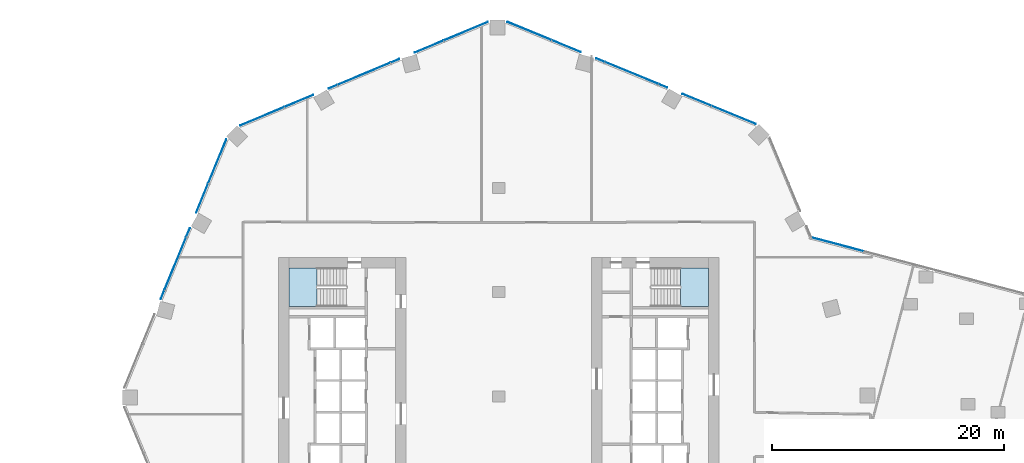
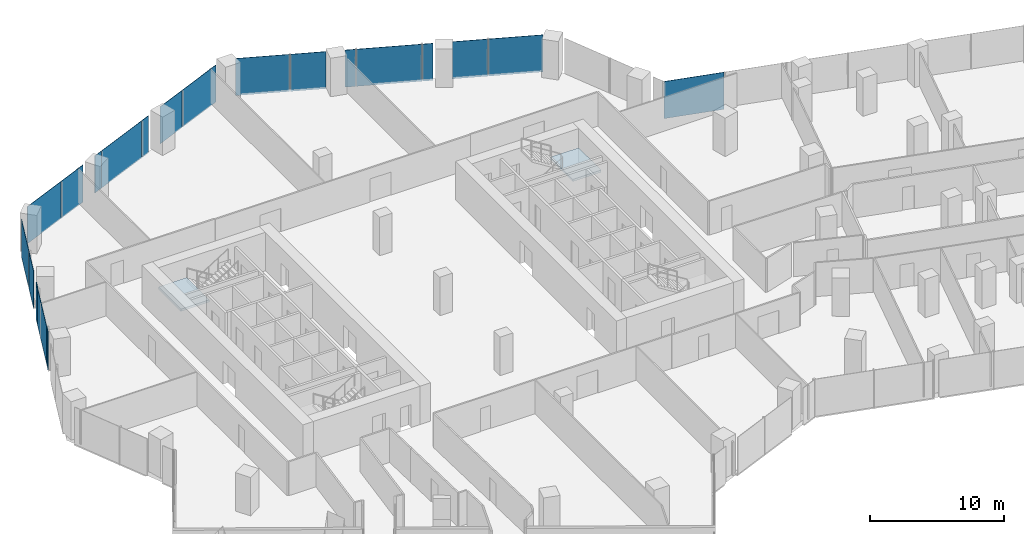
# One storey, part 24 of 34: 20 plates, 2 slabs, 6 elements without a shape of their own.
"""IFC4 building model written with IfcOpenShell, lengths in metres."""

from ifc_helpers import new_model, si_unit, direction, frame, origin, origin_2d, place, context, subcontext, project, spatial, polyline, rectangle, outline, extrude, material, layer, layer_set, type_object, element, aggregate, save


model = new_model("IFC4")

# Units and contexts
model_context = context("Model", 3, precision=1e-05, world=origin(), true_north=direction((0.0, 1.0)))
body_context = subcontext(model_context, "Body", "Model", "MODEL_VIEW")
ifc_project = project(units=[si_unit("LENGTHUNIT", "METRE"), si_unit("AREAUNIT", "SQUARE_METRE"), si_unit("VOLUMEUNIT", "CUBIC_METRE"), si_unit("PLANEANGLEUNIT", "RADIAN"), si_unit("MASSUNIT", "GRAM", prefix="KILO")], contexts=[model_context])

# Site, building, storey
site_placement = place(None, origin())
site = spatial("IfcSite", under=ifc_project, at=site_placement, CompositionType="ELEMENT")
building_placement = place(site_placement, origin())
building = spatial("IfcBuilding", under=site, at=building_placement, Name="Orlundy Tower", CompositionType="ELEMENT")
storey_placement = place(building_placement, frame((0.0, 0.0, 112.699951171875)))
storey = spatial("IfcBuildingStorey", under=building, at=storey_placement, Name="L28", CompositionType="ELEMENT", Elevation=112.699951171875)

# Curtain wall, plates
ifc_material_1 = material(Name="Aluminium bronze anodised", Category="aluminium")
curtain_wall_type = type_object("IfcCurtainWallType", Name="CW1 wall", PredefinedType="NOTDEFINED", material=ifc_material_1)
curtain_wall_1_placement = place(storey_placement, origin())
curtain_wall_1 = element("IfcCurtainWall", 1, at=curtain_wall_1_placement, inside=storey, type_object=curtain_wall_type, Name="CW1 run 014", PredefinedType="NOTDEFINED")
ifc_material_2 = material(Name="Tinted glass", Category="glass")
ifc_layer_1 = layer(ifc_material_2, 0.031982421875)
ifc_layer_set_1 = layer_set([ifc_layer_1], Name="CW1 glass panel 32")
plate_type = type_object("IfcPlateType", Name="CW1 glass panel 32", PredefinedType="CURTAIN_PANEL", material=ifc_layer_set_1)
plate_1_placement = place(storey_placement, frame((-29.0068359375, 8.77197265625, -0.27978515625), z_axis=(0.0, 0.0, 1.0), x_axis=(0.380004927003, 0.924984462277, 0.0)))
plate_1 = element("IfcPlate", 2, at=plate_1_placement, type_object=plate_type, Name="CW1 panel", PredefinedType="CURTAIN_PANEL", context=body_context, shape_type="SweptSolid", body=[
    extrude(rectangle(XDim=0.796630859375, YDim=0.031982421875, at=origin_2d()), origin(), (0.0, 0.0, 1.0), 3.3798828125),
])
plate_2_placement = place(storey_placement, frame((-27.901611328125, 11.46240234375, -0.27978515625), z_axis=(0.0, 0.0, 1.0), x_axis=(0.380004927003, 0.924984462277, 0.0)))
plate_2 = element("IfcPlate", 3, at=plate_2_placement, type_object=plate_type, Name="CW1 panel", PredefinedType="CURTAIN_PANEL", context=body_context, shape_type="SweptSolid", body=[
    extrude(rectangle(XDim=4.92041015625, YDim=0.031982421875, at=origin_2d()), origin(), (0.0, 0.0, 1.0), 3.3798828125),
])
plate_3_placement = place(storey_placement, frame((-26.79638671875, 14.15283203125, -0.27978515625), z_axis=(0.0, 0.0, 1.0), x_axis=(0.380004927003, 0.924984462277, 0.0)))
plate_3 = element("IfcPlate", 4, at=plate_3_placement, type_object=plate_type, Name="CW1 panel", PredefinedType="CURTAIN_PANEL", context=body_context, shape_type="SweptSolid", body=[
    extrude(rectangle(XDim=0.796875, YDim=0.031982421875, at=origin_2d()), origin(), (0.0, 0.0, 1.0), 3.3798828125),
])
plate_4_placement = place(storey_placement, frame((-25.589599609375, 17.090576171875, -0.27978515625), z_axis=(0.0, 0.0, 1.0), x_axis=(0.380004927003, 0.924984462277, 0.0)))
plate_4 = element("IfcPlate", 5, at=plate_4_placement, type_object=plate_type, Name="CW1 panel", PredefinedType="CURTAIN_PANEL", context=body_context, shape_type="SweptSolid", body=[
    extrude(rectangle(XDim=2.692138671875, YDim=0.031982421875, at=origin_2d()), origin(), (0.0, 0.0, 1.0), 3.3798828125),
])
plate_5_placement = place(storey_placement, frame((-24.28125, 20.275146484375, -0.27978515625), z_axis=(0.0, 0.0, 1.0), x_axis=(0.380004927003, 0.924984462277, 0.0)))
plate_5 = element("IfcPlate", 6, at=plate_5_placement, type_object=plate_type, Name="CW1 panel", PredefinedType="CURTAIN_PANEL", context=body_context, shape_type="SweptSolid", body=[
    extrude(rectangle(XDim=4.093505859375, YDim=0.031982421875, at=origin_2d()), origin(), (0.0, 0.0, 1.0), 3.3798828125),
])
aggregate(curtain_wall_1, [plate_1, plate_2, plate_3, plate_4, plate_5])

curtain_wall_2_placement = place(storey_placement, origin())
curtain_wall_2 = element("IfcCurtainWall", 7, at=curtain_wall_2_placement, inside=storey, type_object=curtain_wall_type, Name="CW1 run 015", PredefinedType="NOTDEFINED")
plate_6_placement = place(storey_placement, frame((-20.416015625, 24.16259765625, -0.27978515625), z_axis=(0.0, 0.0, 1.0), x_axis=(0.922759964351, 0.385375204433, 0.0)))
plate_6 = element("IfcPlate", 8, at=plate_6_placement, type_object=plate_type, Name="CW1 panel", PredefinedType="CURTAIN_PANEL", context=body_context, shape_type="SweptSolid", body=[
    extrude(rectangle(XDim=4.093505859375, YDim=0.031982421875, at=origin_2d()), origin(), (0.0, 0.0, 1.0), 3.3798828125),
])
plate_7_placement = place(storey_placement, frame((-17.24072265625, 25.48876953125, -0.27978515625), z_axis=(0.0, 0.0, 1.0), x_axis=(0.922759964351, 0.385375204433, 0.0)))
plate_7 = element("IfcPlate", 9, at=plate_7_placement, type_object=plate_type, Name="CW1 panel", PredefinedType="CURTAIN_PANEL", context=body_context, shape_type="SweptSolid", body=[
    extrude(rectangle(XDim=2.688720703125, YDim=0.031982421875, at=origin_2d()), origin(), (0.0, 0.0, 1.0), 3.3798828125),
])
plate_8_placement = place(storey_placement, frame((-14.308349609375, 26.71337890625, -0.27978515625), z_axis=(0.0, 0.0, 1.0), x_axis=(0.922759964351, 0.385375204433, 0.0)))
plate_8 = element("IfcPlate", 10, at=plate_8_placement, type_object=plate_type, Name="CW1 panel", PredefinedType="CURTAIN_PANEL", context=body_context, shape_type="SweptSolid", body=[
    extrude(rectangle(XDim=0.796630859375, YDim=0.031982421875, at=origin_2d()), origin(), (0.0, 0.0, 1.0), 3.3798828125),
])
plate_9_placement = place(storey_placement, frame((-11.624267578125, 27.834228515625, -0.27978515625), z_axis=(0.0, 0.0, 1.0), x_axis=(0.922759964351, 0.385375204433, 0.0)))
plate_9 = element("IfcPlate", 11, at=plate_9_placement, type_object=plate_type, Name="CW1 panel", PredefinedType="CURTAIN_PANEL", context=body_context, shape_type="SweptSolid", body=[
    extrude(rectangle(XDim=4.920654296875, YDim=0.031982421875, at=origin_2d()), origin(), (0.0, 0.0, 1.0), 3.3798828125),
])
plate_10_placement = place(storey_placement, frame((-8.940185546875, 28.955322265625, -0.27978515625), z_axis=(0.0, 0.0, 1.0), x_axis=(0.922759964351, 0.385375204433, 0.0)))
plate_10 = element("IfcPlate", 12, at=plate_10_placement, type_object=plate_type, Name="CW1 panel", PredefinedType="CURTAIN_PANEL", context=body_context, shape_type="SweptSolid", body=[
    extrude(rectangle(XDim=0.79638671875, YDim=0.031982421875, at=origin_2d()), origin(), (0.0, 0.0, 1.0), 3.3798828125),
])
plate_11_placement = place(storey_placement, frame((-6.007568359375, 30.18017578125, -0.27978515625), z_axis=(0.0, 0.0, 1.0), x_axis=(0.922759964351, 0.385375204433, 0.0)))
plate_11 = element("IfcPlate", 13, at=plate_11_placement, type_object=plate_type, Name="CW1 panel", PredefinedType="CURTAIN_PANEL", context=body_context, shape_type="SweptSolid", body=[
    extrude(rectangle(XDim=2.6884765625, YDim=0.031982421875, at=origin_2d()), origin(), (0.0, 0.0, 1.0), 3.3798828125),
])
plate_12_placement = place(storey_placement, frame((-2.832763671875, 31.505859375, -0.27978515625), z_axis=(0.0, 0.0, 1.0), x_axis=(0.922759964351, 0.385375204433, 0.0)))
plate_12 = element("IfcPlate", 14, at=plate_12_placement, type_object=plate_type, Name="CW1 panel", PredefinedType="CURTAIN_PANEL", context=body_context, shape_type="SweptSolid", body=[
    extrude(rectangle(XDim=4.0927734375, YDim=0.031982421875, at=origin_2d()), origin(), (0.0, 0.0, 1.0), 3.3798828125),
])
aggregate(curtain_wall_2, [plate_6, plate_7, plate_8, plate_9, plate_10, plate_11, plate_12])

curtain_wall_3_placement = place(storey_placement, origin())
curtain_wall_3 = element("IfcCurtainWall", 15, at=curtain_wall_3_placement, inside=storey, type_object=curtain_wall_type, Name="CW1 run 016", PredefinedType="NOTDEFINED")
plate_13_placement = place(storey_placement, frame((2.649169921875, 31.522216796875, -0.27978515625), z_axis=(0.0, 0.0, 1.0), x_axis=(0.924984462277, -0.380004927003, 0.0)))
plate_13 = element("IfcPlate", 16, at=plate_13_placement, type_object=plate_type, Name="CW1 panel", PredefinedType="CURTAIN_PANEL", context=body_context, shape_type="SweptSolid", body=[
    extrude(rectangle(XDim=4.09423828125, YDim=0.031982421875, at=origin_2d()), origin(), (0.0, 0.0, 1.0), 3.3798828125),
])
plate_14_placement = place(storey_placement, frame((5.835205078125, 30.21337890625, -0.27978515625), z_axis=(0.0, 0.0, 1.0), x_axis=(0.924984462277, -0.380004927003, 0.0)))
plate_14 = element("IfcPlate", 17, at=plate_14_placement, type_object=plate_type, Name="CW1 panel", PredefinedType="CURTAIN_PANEL", context=body_context, shape_type="SweptSolid", body=[
    extrude(rectangle(XDim=2.694580078125, YDim=0.031982421875, at=origin_2d()), origin(), (0.0, 0.0, 1.0), 3.3798828125),
])
plate_15_placement = place(storey_placement, frame((8.77197265625, 29.0068359375, -0.27978515625), z_axis=(0.0, 0.0, 1.0), x_axis=(0.924984462277, -0.380004927003, 0.0)))
plate_15 = element("IfcPlate", 18, at=plate_15_placement, type_object=plate_type, Name="CW1 panel", PredefinedType="CURTAIN_PANEL", context=body_context, shape_type="SweptSolid", body=[
    extrude(rectangle(XDim=0.796630859375, YDim=0.031982421875, at=origin_2d()), origin(), (0.0, 0.0, 1.0), 3.3798828125),
])
plate_16_placement = place(storey_placement, frame((11.46240234375, 27.901611328125, -0.27978515625), z_axis=(0.0, 0.0, 1.0), x_axis=(0.924984462277, -0.380004927003, 0.0)))
plate_16 = element("IfcPlate", 19, at=plate_16_placement, type_object=plate_type, Name="CW1 panel", PredefinedType="CURTAIN_PANEL", context=body_context, shape_type="SweptSolid", body=[
    extrude(rectangle(XDim=4.92041015625, YDim=0.031982421875, at=origin_2d()), origin(), (0.0, 0.0, 1.0), 3.3798828125),
])
plate_17_placement = place(storey_placement, frame((14.15283203125, 26.79638671875, -0.27978515625), z_axis=(0.0, 0.0, 1.0), x_axis=(0.924984462277, -0.380004927003, 0.0)))
plate_17 = element("IfcPlate", 20, at=plate_17_placement, type_object=plate_type, Name="CW1 panel", PredefinedType="CURTAIN_PANEL", context=body_context, shape_type="SweptSolid", body=[
    extrude(rectangle(XDim=0.796875, YDim=0.031982421875, at=origin_2d()), origin(), (0.0, 0.0, 1.0), 3.3798828125),
])
plate_18_placement = place(storey_placement, frame((17.090576171875, 25.589599609375, -0.27978515625), z_axis=(0.0, 0.0, 1.0), x_axis=(0.924984462277, -0.380004927003, 0.0)))
plate_18 = element("IfcPlate", 21, at=plate_18_placement, type_object=plate_type, Name="CW1 panel", PredefinedType="CURTAIN_PANEL", context=body_context, shape_type="SweptSolid", body=[
    extrude(rectangle(XDim=2.692138671875, YDim=0.031982421875, at=origin_2d()), origin(), (0.0, 0.0, 1.0), 3.3798828125),
])
plate_19_placement = place(storey_placement, frame((20.275146484375, 24.28125, -0.27978515625), z_axis=(0.0, 0.0, 1.0), x_axis=(0.924984462277, -0.380004927003, 0.0)))
plate_19 = element("IfcPlate", 22, at=plate_19_placement, type_object=plate_type, Name="CW1 panel", PredefinedType="CURTAIN_PANEL", context=body_context, shape_type="SweptSolid", body=[
    extrude(rectangle(XDim=4.093505859375, YDim=0.031982421875, at=origin_2d()), origin(), (0.0, 0.0, 1.0), 3.3798828125),
])
aggregate(curtain_wall_3, [plate_13, plate_14, plate_15, plate_16, plate_17, plate_18, plate_19])

# Curtain wall, plate
curtain_wall_4_placement = place(storey_placement, origin())
curtain_wall_4 = element("IfcCurtainWall", 23, at=curtain_wall_4_placement, inside=storey, type_object=curtain_wall_type, Name="CW1 run 018", PredefinedType="NOTDEFINED")
plate_20_placement = place(storey_placement, frame((29.20654296875, 13.12451171875, -0.27978515625), z_axis=(0.0, 0.0, 1.0), x_axis=(0.966671560598, -0.256019713949, 0.0)))
plate_20 = element("IfcPlate", 24, at=plate_20_placement, type_object=plate_type, Name="CW1 panel", PredefinedType="CURTAIN_PANEL", context=body_context, shape_type="SweptSolid", body=[
    extrude(rectangle(XDim=4.649658203125, YDim=0.031982421875, at=origin_2d()), origin(), (0.0, 0.0, 1.0), 3.3798828125),
])
aggregate(curtain_wall_4, [plate_20])

# Stair, slab
ifc_material_3 = material(Name="Concrete C50/60", Category="concrete")
stair_type = type_object("IfcStairType", Name="Exit Stair 20 risers", PredefinedType="HALF_TURN_STAIR", material=ifc_material_3)
stair_1_placement = place(storey_placement, origin())
stair_1 = element("IfcStair", 25, at=stair_1_placement, inside=storey, type_object=stair_type, Name="L28 Exit Stair ST-W1", PredefinedType="HALF_TURN_STAIR")
ifc_material_4 = material(Name="Concrete C50/60", Category="concrete")
ifc_layer_2 = layer(ifc_material_4, 0.199951171875)
ifc_layer_set_2 = layer_set([ifc_layer_2], Name="Exit Stair Landing")
slab_type = type_object("IfcSlabType", Name="Exit Stair Landing", PredefinedType="LANDING", material=ifc_layer_set_2)
slab_1_placement = place(storey_placement, frame((0.0, 0.0, 1.550048828125)))
slab_1 = element("IfcSlab", 26, at=slab_1_placement, type_object=slab_type, Name="ST-W1 landing 1", PredefinedType="LANDING", context=body_context, shape_type="SweptSolid", body=[
    extrude(outline(polyline([(-15.659912109375, 11.10009765625), (-18.10009765625, 11.10009765625), (-18.10009765625, 7.75), (-15.659912109375, 7.75), (-15.659912109375, 11.10009765625)])), origin(), (0.0, 0.0, 1.0), 0.199951171875),
])
aggregate(stair_1, [slab_1])

stair_2_placement = place(storey_placement, origin())
stair_2 = element("IfcStair", 27, at=stair_2_placement, inside=storey, type_object=stair_type, Name="L28 Exit Stair ST-E2", PredefinedType="HALF_TURN_STAIR")
slab_2_placement = place(storey_placement, frame((0.0, 0.0, 1.550048828125)))
slab_2 = element("IfcSlab", 28, at=slab_2_placement, type_object=slab_type, Name="ST-E2 landing 1", PredefinedType="LANDING", context=body_context, shape_type="SweptSolid", body=[
    extrude(outline(polyline([(15.659912109375, 7.75), (18.10009765625, 7.75), (18.10009765625, 11.10009765625), (15.659912109375, 11.10009765625), (15.659912109375, 7.75)])), origin(), (0.0, 0.0, 1.0), 0.199951171875),
])
aggregate(stair_2, [slab_2])

save(model, "model.ifc")
